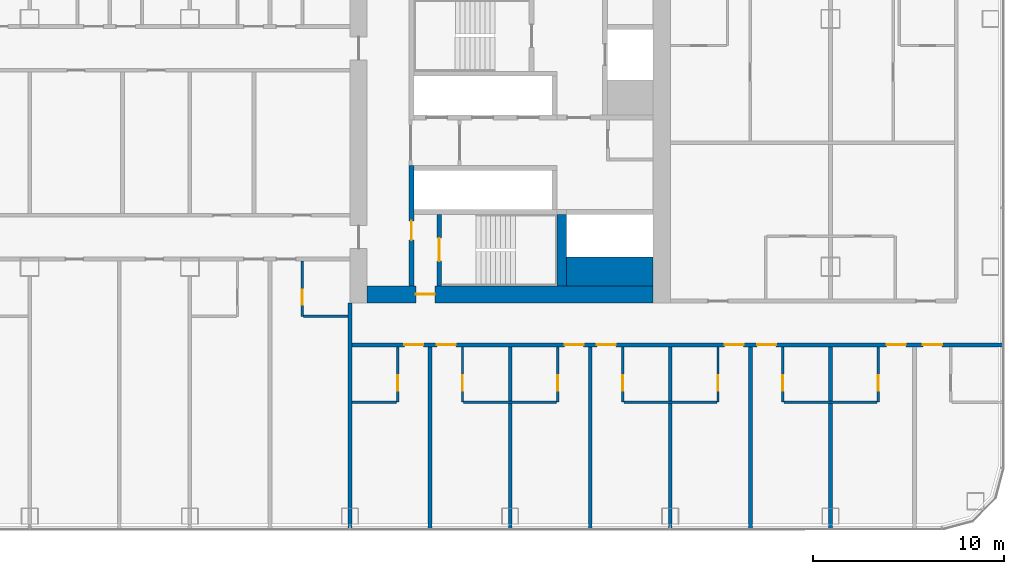
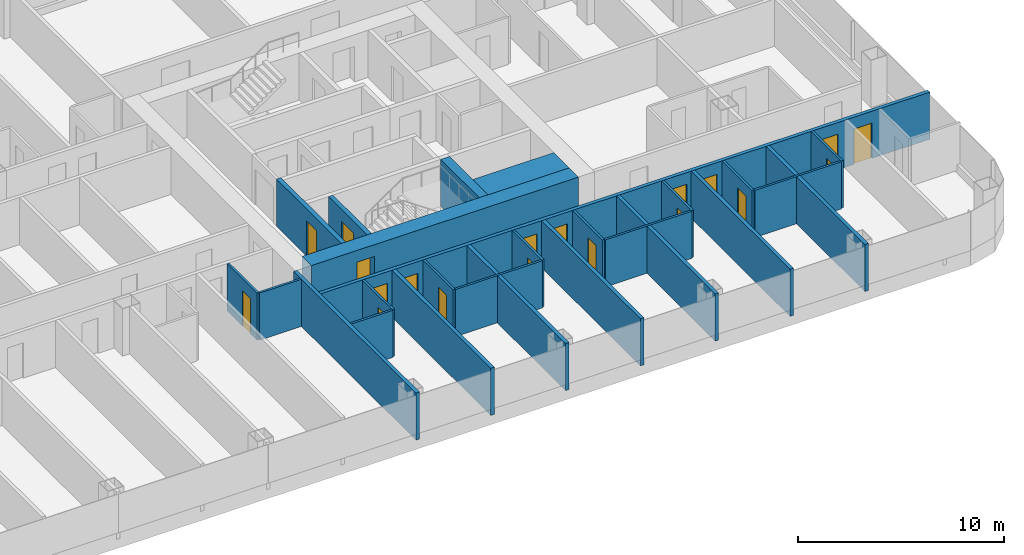
# One storey, part 18 of 29: 26 walls, 19 doors, 19 openings.
"""IFC4 building model written with IfcOpenShell, lengths in metres."""

from ifc_helpers import new_model, si_unit, direction, frame, frame_2d, origin, place, context, subcontext, project, spatial, rectangle, extrude, material, layer, layer_set, type_object, element, fill, save


model = new_model("IFC4")

# Units and contexts
model_context = context("Model", 3, precision=1e-05, world=origin(), true_north=direction((0.0, 1.0)))
body_context = subcontext(model_context, "Body", "Model", "MODEL_VIEW")
ifc_project = project(units=[si_unit("LENGTHUNIT", "METRE"), si_unit("AREAUNIT", "SQUARE_METRE"), si_unit("VOLUMEUNIT", "CUBIC_METRE"), si_unit("PLANEANGLEUNIT", "RADIAN"), si_unit("MASSUNIT", "GRAM", prefix="KILO")], contexts=[model_context])

# Site, building, storey
site_placement = place(None, origin())
site = spatial("IfcSite", under=ifc_project, at=site_placement, CompositionType="ELEMENT")
building_placement = place(site_placement, origin())
building = spatial("IfcBuilding", under=site, at=building_placement, Name="Hakoniwa Tower and Hamabe Station Hall", CompositionType="ELEMENT")
storey_placement = place(building_placement, frame((0.0, 0.0, 55.0)))
storey = spatial("IfcBuildingStorey", under=building, at=storey_placement, Name="L15", CompositionType="ELEMENT", Elevation=55.0)

# Walls
ifc_material_1 = material(Name="Gypsum board partition", Category="gypsum")
ifc_layer_1 = layer(ifc_material_1, 0.125)
ifc_layer_set_1 = layer_set([ifc_layer_1], Name="Bathroom Partition 125")
wall_type_1 = type_object("IfcWallType", Name="Bathroom Partition 125", PredefinedType="PARTITIONING", material=ifc_layer_set_1)
wall_1_placement = place(storey_placement, frame((16.89990234375, -13.60009765625, 0.0), z_axis=(0.0, 0.0, 1.0), x_axis=(1.0, 0.0, 0.0)))
element("IfcWall", 1, at=wall_1_placement, inside=storey, type_object=wall_type_1, Name="GW-L15-006", PredefinedType="PARTITIONING", context=body_context, shape_type="SweptSolid", body=[
    extrude(rectangle(XDim=2.337646484375, YDim=0.125, at=frame_2d((1.1689453125, 0.0))), origin(), (0.0, 0.0, 1.0), 2.800048828125),
])
for number, where, z_axis, x_axis, name in (
    (2, (22.762451171875, -13.60009765625, 0.0), (0.0, 0.0, 1.0), (1.0, 0.0, 0.0), "GW-L15-007"),
    (3, (31.16259765625, -13.60009765625, 0.0), (0.0, 0.0, 1.0), (1.0, 0.0, 0.0), "GW-L15-008"),
    (4, (39.5625, -13.60009765625, 0.0), (0.0, 0.0, 1.0), (1.0, 0.0, 0.0), "GW-L15-009"),
):
    element("IfcWall", number, at=place(storey_placement, frame(where, z_axis=z_axis, x_axis=x_axis)), inside=storey, type_object=wall_type_1, Name=name, PredefinedType="PARTITIONING", context=body_context, shape_type="SweptSolid", body=[
        extrude(rectangle(XDim=4.875, YDim=0.125, at=frame_2d((2.4375, 0.0))), origin(), (0.0, 0.0, 1.0), 2.800048828125),
    ])
wall_2_placement = place(storey_placement, frame((14.362548828125, -9.10009765625, 0.0), z_axis=(0.0, 0.0, 1.0), x_axis=(1.0, 0.0, 0.0)))
element("IfcWall", 5, at=wall_2_placement, inside=storey, type_object=wall_type_1, Name="GW-L15-017", PredefinedType="PARTITIONING", context=body_context, shape_type="SweptSolid", body=[
    extrude(rectangle(XDim=2.33740234375, YDim=0.125, at=frame_2d((1.168701171875, 0.0))), origin(), (0.0, 0.0, 1.0), 2.800048828125),
])

# Wall, opening, door
wall_3_placement = place(storey_placement, frame((14.300048828125, -9.10009765625, 0.0), z_axis=(0.0, 0.0, 1.0), x_axis=(0.0, 1.0, 0.0)))
wall_3 = element("IfcWall", 6, at=wall_3_placement, inside=storey, type_object=wall_type_1, Name="GW-L15-115", PredefinedType="PARTITIONING", context=body_context, shape_type="SweptSolid", body=[
    extrude(rectangle(XDim=2.900146484375, YDim=0.125, at=frame_2d((1.4501953125, 0.0))), origin(), (0.0, 0.0, 1.0), 2.800048828125),
])
opening_1_placement = place(wall_3_placement, frame((0.60009765625, 0.0, 0.0)))
opening_1 = element("IfcOpeningElement", 7, at=opening_1_placement, cuts=wall_3, Name="Opening GD-G1B2-93", PredefinedType="OPENING", context=body_context, shape_type="SweptSolid", body=[
    extrude(rectangle(XDim=0.800048828125, YDim=2.10009765625, at=frame_2d((0.39990234375, 1.050048828125))), frame((0.0, 0.072509765625, 0.0), z_axis=(0.0, -1.0, 0.0), x_axis=(1.0, 0.0, 0.0)), (0.0, 0.0, 1.0), 0.14501953125),
])
ifc_material_2 = material(Name="Timber door leaf", Category="wood")
door_type_1 = type_object("IfcDoorType", Name="Bathroom Door 800", OperationType="SINGLE_SWING_LEFT", PredefinedType="DOOR", material=ifc_material_2)
door_1_placement = place(opening_1_placement, origin())
door_1 = element("IfcDoor", 8, at=door_1_placement, inside=storey, type_object=door_type_1, Name="Door GD-G1B2-93", OperationType="SINGLE_SWING_LEFT", OverallHeight=2.10009765625, OverallWidth=0.800048828125, PredefinedType="DOOR", context=body_context, shape_type="SweptSolid", body=[
    extrude(rectangle(XDim=0.800048828125, YDim=2.10009765625, at=frame_2d((0.39990234375, 1.050048828125))), frame((0.0, 0.02490234375, 0.0), z_axis=(0.0, -1.0, 0.0), x_axis=(1.0, 0.0, 0.0)), (0.0, 0.0, 1.0), 0.050048828125),
])
fill(opening_1, door_1)

wall_4_placement = place(storey_placement, frame((19.300048828125, -13.60009765625, 0.0), z_axis=(0.0, 0.0, 1.0), x_axis=(0.0, 1.0, 0.0)))
wall_4 = element("IfcWall", 9, at=wall_4_placement, inside=storey, type_object=wall_type_1, Name="GW-L15-119", PredefinedType="PARTITIONING", context=body_context, shape_type="SweptSolid", body=[
    extrude(rectangle(XDim=2.900146484375, YDim=0.125, at=frame_2d((1.4501953125, 0.0))), origin(), (0.0, 0.0, 1.0), 2.800048828125),
])
opening_2_placement = place(wall_4_placement, frame((0.60009765625, 0.0, 0.0)))
opening_2 = element("IfcOpeningElement", 10, at=opening_2_placement, cuts=wall_4, Name="Opening GD-G1B2-95", PredefinedType="OPENING", context=body_context, shape_type="SweptSolid", body=[
    extrude(rectangle(XDim=0.800048828125, YDim=2.10009765625, at=frame_2d((0.39990234375, 1.050048828125))), frame((0.0, 0.072509765625, 0.0), z_axis=(0.0, -1.0, 0.0), x_axis=(1.0, 0.0, 0.0)), (0.0, 0.0, 1.0), 0.14501953125),
])
door_2_placement = place(opening_2_placement, origin())
door_2 = element("IfcDoor", 11, at=door_2_placement, inside=storey, type_object=door_type_1, Name="Door GD-G1B2-95", OperationType="SINGLE_SWING_RIGHT", OverallHeight=2.10009765625, OverallWidth=0.800048828125, PredefinedType="DOOR", context=body_context, shape_type="SweptSolid", body=[
    extrude(rectangle(XDim=0.800048828125, YDim=2.10009765625, at=frame_2d((0.39990234375, 1.050048828125))), frame((0.0, 0.02490234375, 0.0), z_axis=(0.0, -1.0, 0.0), x_axis=(1.0, 0.0, 0.0)), (0.0, 0.0, 1.0), 0.050048828125),
])
fill(opening_2, door_2)

wall_5_placement = place(storey_placement, frame((22.699951171875, -13.60009765625, 0.0), z_axis=(0.0, 0.0, 1.0), x_axis=(0.0, 1.0, 0.0)))
wall_5 = element("IfcWall", 12, at=wall_5_placement, inside=storey, type_object=wall_type_1, Name="GW-L15-121", PredefinedType="PARTITIONING", context=body_context, shape_type="SweptSolid", body=[
    extrude(rectangle(XDim=2.900146484375, YDim=0.125, at=frame_2d((1.4501953125, 0.0))), origin(), (0.0, 0.0, 1.0), 2.800048828125),
])
opening_3_placement = place(wall_5_placement, frame((0.60009765625, 0.0, 0.0)))
opening_3 = element("IfcOpeningElement", 13, at=opening_3_placement, cuts=wall_5, Name="Opening GD-G1B2-96", PredefinedType="OPENING", context=body_context, shape_type="SweptSolid", body=[
    extrude(rectangle(XDim=0.800048828125, YDim=2.10009765625, at=frame_2d((0.39990234375, 1.050048828125))), frame((0.0, 0.072509765625, 0.0), z_axis=(0.0, -1.0, 0.0), x_axis=(1.0, 0.0, 0.0)), (0.0, 0.0, 1.0), 0.14501953125),
])
door_3_placement = place(opening_3_placement, origin())
door_3 = element("IfcDoor", 14, at=door_3_placement, inside=storey, type_object=door_type_1, Name="Door GD-G1B2-96", OperationType="SINGLE_SWING_LEFT", OverallHeight=2.10009765625, OverallWidth=0.800048828125, PredefinedType="DOOR", context=body_context, shape_type="SweptSolid", body=[
    extrude(rectangle(XDim=0.800048828125, YDim=2.10009765625, at=frame_2d((0.39990234375, 1.050048828125))), frame((0.0, 0.02490234375, 0.0), z_axis=(0.0, -1.0, 0.0), x_axis=(1.0, 0.0, 0.0)), (0.0, 0.0, 1.0), 0.050048828125),
])
fill(opening_3, door_3)

wall_6_placement = place(storey_placement, frame((27.699951171875, -13.60009765625, 0.0), z_axis=(0.0, 0.0, 1.0), x_axis=(0.0, 1.0, 0.0)))
wall_6 = element("IfcWall", 15, at=wall_6_placement, inside=storey, type_object=wall_type_1, Name="GW-L15-124", PredefinedType="PARTITIONING", context=body_context, shape_type="SweptSolid", body=[
    extrude(rectangle(XDim=2.900146484375, YDim=0.125, at=frame_2d((1.4501953125, 0.0))), origin(), (0.0, 0.0, 1.0), 2.800048828125),
])
opening_4_placement = place(wall_6_placement, frame((0.60009765625, 0.0, 0.0)))
opening_4 = element("IfcOpeningElement", 16, at=opening_4_placement, cuts=wall_6, Name="Opening GD-G1B2-97", PredefinedType="OPENING", context=body_context, shape_type="SweptSolid", body=[
    extrude(rectangle(XDim=0.800048828125, YDim=2.10009765625, at=frame_2d((0.39990234375, 1.050048828125))), frame((0.0, 0.072509765625, 0.0), z_axis=(0.0, -1.0, 0.0), x_axis=(1.0, 0.0, 0.0)), (0.0, 0.0, 1.0), 0.14501953125),
])
door_4_placement = place(opening_4_placement, origin())
door_4 = element("IfcDoor", 17, at=door_4_placement, inside=storey, type_object=door_type_1, Name="Door GD-G1B2-97", OperationType="SINGLE_SWING_RIGHT", OverallHeight=2.10009765625, OverallWidth=0.800048828125, PredefinedType="DOOR", context=body_context, shape_type="SweptSolid", body=[
    extrude(rectangle(XDim=0.800048828125, YDim=2.10009765625, at=frame_2d((0.39990234375, 1.050048828125))), frame((0.0, 0.02490234375, 0.0), z_axis=(0.0, -1.0, 0.0), x_axis=(1.0, 0.0, 0.0)), (0.0, 0.0, 1.0), 0.050048828125),
])
fill(opening_4, door_4)

wall_7_placement = place(storey_placement, frame((31.10009765625, -13.60009765625, 0.0), z_axis=(0.0, 0.0, 1.0), x_axis=(0.0, 1.0, 0.0)))
wall_7 = element("IfcWall", 18, at=wall_7_placement, inside=storey, type_object=wall_type_1, Name="GW-L15-126", PredefinedType="PARTITIONING", context=body_context, shape_type="SweptSolid", body=[
    extrude(rectangle(XDim=2.900146484375, YDim=0.125, at=frame_2d((1.4501953125, 0.0))), origin(), (0.0, 0.0, 1.0), 2.800048828125),
])
opening_5_placement = place(wall_7_placement, frame((0.60009765625, 0.0, 0.0)))
opening_5 = element("IfcOpeningElement", 19, at=opening_5_placement, cuts=wall_7, Name="Opening GD-G1B2-98", PredefinedType="OPENING", context=body_context, shape_type="SweptSolid", body=[
    extrude(rectangle(XDim=0.800048828125, YDim=2.10009765625, at=frame_2d((0.39990234375, 1.050048828125))), frame((0.0, 0.072509765625, 0.0), z_axis=(0.0, -1.0, 0.0), x_axis=(1.0, 0.0, 0.0)), (0.0, 0.0, 1.0), 0.14501953125),
])
door_5_placement = place(opening_5_placement, origin())
door_5 = element("IfcDoor", 20, at=door_5_placement, inside=storey, type_object=door_type_1, Name="Door GD-G1B2-98", OperationType="SINGLE_SWING_LEFT", OverallHeight=2.10009765625, OverallWidth=0.800048828125, PredefinedType="DOOR", context=body_context, shape_type="SweptSolid", body=[
    extrude(rectangle(XDim=0.800048828125, YDim=2.10009765625, at=frame_2d((0.39990234375, 1.050048828125))), frame((0.0, 0.02490234375, 0.0), z_axis=(0.0, -1.0, 0.0), x_axis=(1.0, 0.0, 0.0)), (0.0, 0.0, 1.0), 0.050048828125),
])
fill(opening_5, door_5)

wall_8_placement = place(storey_placement, frame((36.10009765625, -13.60009765625, 0.0), z_axis=(0.0, 0.0, 1.0), x_axis=(0.0, 1.0, 0.0)))
wall_8 = element("IfcWall", 21, at=wall_8_placement, inside=storey, type_object=wall_type_1, Name="GW-L15-129", PredefinedType="PARTITIONING", context=body_context, shape_type="SweptSolid", body=[
    extrude(rectangle(XDim=2.900146484375, YDim=0.125, at=frame_2d((1.4501953125, 0.0))), origin(), (0.0, 0.0, 1.0), 2.800048828125),
])
opening_6_placement = place(wall_8_placement, frame((0.60009765625, 0.0, 0.0)))
opening_6 = element("IfcOpeningElement", 22, at=opening_6_placement, cuts=wall_8, Name="Opening GD-G1B2-99", PredefinedType="OPENING", context=body_context, shape_type="SweptSolid", body=[
    extrude(rectangle(XDim=0.800048828125, YDim=2.10009765625, at=frame_2d((0.39990234375, 1.050048828125))), frame((0.0, 0.072509765625, 0.0), z_axis=(0.0, -1.0, 0.0), x_axis=(1.0, 0.0, 0.0)), (0.0, 0.0, 1.0), 0.14501953125),
])
door_6_placement = place(opening_6_placement, origin())
door_6 = element("IfcDoor", 23, at=door_6_placement, inside=storey, type_object=door_type_1, Name="Door GD-G1B2-99", OperationType="SINGLE_SWING_RIGHT", OverallHeight=2.10009765625, OverallWidth=0.800048828125, PredefinedType="DOOR", context=body_context, shape_type="SweptSolid", body=[
    extrude(rectangle(XDim=0.800048828125, YDim=2.10009765625, at=frame_2d((0.39990234375, 1.050048828125))), frame((0.0, 0.02490234375, 0.0), z_axis=(0.0, -1.0, 0.0), x_axis=(1.0, 0.0, 0.0)), (0.0, 0.0, 1.0), 0.050048828125),
])
fill(opening_6, door_6)

wall_9_placement = place(storey_placement, frame((39.5, -13.60009765625, 0.0), z_axis=(0.0, 0.0, 1.0), x_axis=(0.0, 1.0, 0.0)))
wall_9 = element("IfcWall", 24, at=wall_9_placement, inside=storey, type_object=wall_type_1, Name="GW-L15-134", PredefinedType="PARTITIONING", context=body_context, shape_type="SweptSolid", body=[
    extrude(rectangle(XDim=2.900146484375, YDim=0.125, at=frame_2d((1.4501953125, 0.0))), origin(), (0.0, 0.0, 1.0), 2.800048828125),
])
opening_7_placement = place(wall_9_placement, frame((0.60009765625, 0.0, 0.0)))
opening_7 = element("IfcOpeningElement", 25, at=opening_7_placement, cuts=wall_9, Name="Opening GD-G1B2-101", PredefinedType="OPENING", context=body_context, shape_type="SweptSolid", body=[
    extrude(rectangle(XDim=0.800048828125, YDim=2.10009765625, at=frame_2d((0.39990234375, 1.050048828125))), frame((0.0, 0.072509765625, 0.0), z_axis=(0.0, -1.0, 0.0), x_axis=(1.0, 0.0, 0.0)), (0.0, 0.0, 1.0), 0.14501953125),
])
door_7_placement = place(opening_7_placement, origin())
door_7 = element("IfcDoor", 26, at=door_7_placement, inside=storey, type_object=door_type_1, Name="Door GD-G1B2-101", OperationType="SINGLE_SWING_LEFT", OverallHeight=2.10009765625, OverallWidth=0.800048828125, PredefinedType="DOOR", context=body_context, shape_type="SweptSolid", body=[
    extrude(rectangle(XDim=0.800048828125, YDim=2.10009765625, at=frame_2d((0.39990234375, 1.050048828125))), frame((0.0, 0.02490234375, 0.0), z_axis=(0.0, -1.0, 0.0), x_axis=(1.0, 0.0, 0.0)), (0.0, 0.0, 1.0), 0.050048828125),
])
fill(opening_7, door_7)

wall_10_placement = place(storey_placement, frame((44.5, -13.60009765625, 0.0), z_axis=(0.0, 0.0, 1.0), x_axis=(0.0, 1.0, 0.0)))
wall_10 = element("IfcWall", 27, at=wall_10_placement, inside=storey, type_object=wall_type_1, Name="GW-L15-138", PredefinedType="PARTITIONING", context=body_context, shape_type="SweptSolid", body=[
    extrude(rectangle(XDim=2.900146484375, YDim=0.125, at=frame_2d((1.4501953125, 0.0))), origin(), (0.0, 0.0, 1.0), 2.800048828125),
])
opening_8_placement = place(wall_10_placement, frame((0.60009765625, 0.0, 0.0)))
opening_8 = element("IfcOpeningElement", 28, at=opening_8_placement, cuts=wall_10, Name="Opening GD-G1B2-102", PredefinedType="OPENING", context=body_context, shape_type="SweptSolid", body=[
    extrude(rectangle(XDim=0.800048828125, YDim=2.10009765625, at=frame_2d((0.39990234375, 1.050048828125))), frame((0.0, 0.072509765625, 0.0), z_axis=(0.0, -1.0, 0.0), x_axis=(1.0, 0.0, 0.0)), (0.0, 0.0, 1.0), 0.14501953125),
])
door_8_placement = place(opening_8_placement, origin())
door_8 = element("IfcDoor", 29, at=door_8_placement, inside=storey, type_object=door_type_1, Name="Door GD-G1B2-102", OperationType="SINGLE_SWING_RIGHT", OverallHeight=2.10009765625, OverallWidth=0.800048828125, PredefinedType="DOOR", context=body_context, shape_type="SweptSolid", body=[
    extrude(rectangle(XDim=0.800048828125, YDim=2.10009765625, at=frame_2d((0.39990234375, 1.050048828125))), frame((0.0, 0.02490234375, 0.0), z_axis=(0.0, -1.0, 0.0), x_axis=(1.0, 0.0, 0.0)), (0.0, 0.0, 1.0), 0.050048828125),
])
fill(opening_8, door_8)

ifc_material_3 = material(Name="Concrete C80", Category="concrete")
ifc_layer_2 = layer(ifc_material_3, 0.89990234375)
ifc_layer_set_2 = layer_set([ifc_layer_2], Name="CORE WALL 900 C80")
wall_type_2 = type_object("IfcWallType", Name="CORE WALL 900 C80", PredefinedType="SHEAR", material=ifc_layer_set_2)
wall_11_placement = place(storey_placement, frame((17.699951171875, -7.949951171875, 0.0), z_axis=(0.0, 0.0, 1.0), x_axis=(1.0, 0.0, 0.0)))
wall_11 = element("IfcWall", 30, at=wall_11_placement, inside=storey, type_object=wall_type_2, Name="Core wall SOUTH east", PredefinedType="SHEAR", context=body_context, shape_type="SweptSolid", body=[
    extrude(rectangle(XDim=15.0, YDim=0.89990234375, at=frame_2d((7.5, 0.0))), origin(), (0.0, 0.0, 1.0), 2.800048828125),
])
opening_9_placement = place(wall_11_placement, frame((2.550048828125, 0.0, 0.0)))
opening_9 = element("IfcOpeningElement", 31, at=opening_9_placement, cuts=wall_11, Name="Opening CD-E-FS3-10", PredefinedType="OPENING", context=body_context, shape_type="SweptSolid", body=[
    extrude(rectangle(XDim=1.0, YDim=2.10009765625, at=frame_2d((0.5, 1.050048828125))), frame((0.0, 0.4599609375, 0.0), z_axis=(0.0, -1.0, 0.0), x_axis=(1.0, 0.0, 0.0)), (0.0, 0.0, 1.0), 0.919921875),
])
ifc_material_4 = material(Name="Steel fire door", Category="steel")
door_type_2 = type_object("IfcDoorType", Name="CORE DOOR 1000 FD60", OperationType="NOTDEFINED", PredefinedType="DOOR", material=ifc_material_4)
door_9_placement = place(opening_9_placement, origin())
door_9 = element("IfcDoor", 32, at=door_9_placement, inside=storey, type_object=door_type_2, Name="Stair vestibule door", OperationType="SINGLE_SWING_RIGHT", OverallHeight=2.10009765625, OverallWidth=1.0, PredefinedType="DOOR", context=body_context, shape_type="SweptSolid", body=[
    extrude(rectangle(XDim=1.0, YDim=2.10009765625, at=frame_2d((0.5, 1.050048828125))), frame((0.0, 0.02490234375, 0.0), z_axis=(0.0, -1.0, 0.0), x_axis=(1.0, 0.0, 0.0)), (0.0, 0.0, 1.0), 0.050048828125),
])
fill(opening_9, door_9)

# Wall
ifc_material_5 = material(Name="Concrete C80", Category="concrete")
ifc_layer_3 = layer(ifc_material_5, 1.5)
ifc_layer_set_3 = layer_set([ifc_layer_3], Name="CORE WEB WALL 1500 C80")
wall_type_3 = type_object("IfcWallType", Name="CORE WEB WALL 1500 C80", PredefinedType="SHEAR", material=ifc_layer_set_3)
wall_12_placement = place(storey_placement, frame((28.14990234375, -6.75, 0.0), z_axis=(0.0, 0.0, 1.0), x_axis=(1.0, 0.0, 0.0)))
element("IfcWall", 33, at=wall_12_placement, inside=storey, type_object=wall_type_3, Name="Core wall SER east", PredefinedType="SHEAR", context=body_context, shape_type="SweptSolid", body=[
    extrude(rectangle(XDim=4.550048828125, YDim=1.5, at=frame_2d((2.27490234375, 0.0))), origin(), (0.0, 0.0, 1.0), 2.800048828125),
])

# Wall, opening, door
ifc_material_6 = material(Name="Concrete C80", Category="concrete")
ifc_layer_4 = layer(ifc_material_6, 0.25)
ifc_layer_set_4 = layer_set([ifc_layer_4], Name="CORE WEB WALL 250 C80")
wall_type_4 = type_object("IfcWallType", Name="CORE WEB WALL 250 C80", PredefinedType="SHEAR", material=ifc_layer_set_4)
wall_13_placement = place(storey_placement, frame((20.02490234375, -7.5, 0.0), z_axis=(0.0, 0.0, 1.0), x_axis=(0.0, 1.0, 0.0)))
wall_13 = element("IfcWall", 34, at=wall_13_placement, inside=storey, type_object=wall_type_4, Name="Core wall W1S east", PredefinedType="SHEAR", context=body_context, shape_type="SweptSolid", body=[
    extrude(rectangle(XDim=6.300048828125, YDim=0.25, at=frame_2d((3.14990234375, 0.0))), origin(), (0.0, 0.0, 1.0), 2.800048828125),
])
opening_10_placement = place(wall_13_placement, frame((2.39990234375, 0.0, 0.0)))
opening_10 = element("IfcOpeningElement", 35, at=opening_10_placement, cuts=wall_13, Name="Opening CD-E-VS-10", PredefinedType="OPENING", context=body_context, shape_type="SweptSolid", body=[
    extrude(rectangle(XDim=1.0, YDim=2.10009765625, at=frame_2d((0.5, 1.050048828125))), frame((0.0, 0.135009765625, 0.0), z_axis=(0.0, -1.0, 0.0), x_axis=(1.0, 0.0, 0.0)), (0.0, 0.0, 1.0), 0.27001953125),
])
door_10_placement = place(opening_10_placement, origin())
door_10 = element("IfcDoor", 36, at=door_10_placement, inside=storey, type_object=door_type_2, Name="Stair vestibule door", OperationType="SINGLE_SWING_RIGHT", OverallHeight=2.10009765625, OverallWidth=1.0, PredefinedType="DOOR", context=body_context, shape_type="SweptSolid", body=[
    extrude(rectangle(XDim=1.0, YDim=2.10009765625, at=frame_2d((0.5, 1.050048828125))), frame((0.0, 0.02490234375, 0.0), z_axis=(0.0, -1.0, 0.0), x_axis=(1.0, 0.0, 0.0)), (0.0, 0.0, 1.0), 0.050048828125),
])
fill(opening_10, door_10)

wall_14_placement = place(storey_placement, frame((21.47509765625, -7.5, 0.0), z_axis=(0.0, 0.0, 1.0), x_axis=(0.0, 1.0, 0.0)))
wall_14 = element("IfcWall", 37, at=wall_14_placement, inside=storey, type_object=wall_type_4, Name="Core wall VE east", PredefinedType="SHEAR", context=body_context, shape_type="SweptSolid", body=[
    extrude(rectangle(XDim=3.75, YDim=0.25, at=frame_2d((1.875, 0.0))), origin(), (0.0, 0.0, 1.0), 2.800048828125),
])
opening_11_placement = place(wall_14_placement, frame((1.300048828125, 0.0, 0.0)))
opening_11 = element("IfcOpeningElement", 38, at=opening_11_placement, cuts=wall_14, Name="Opening CD-E-SS-12", PredefinedType="OPENING", context=body_context, shape_type="SweptSolid", body=[
    extrude(rectangle(XDim=1.199951171875, YDim=2.10009765625, at=frame_2d((0.60009765625, 1.050048828125))), frame((0.0, 0.135009765625, 0.0), z_axis=(0.0, -1.0, 0.0), x_axis=(1.0, 0.0, 0.0)), (0.0, 0.0, 1.0), 0.27001953125),
])
ifc_material_7 = material(Name="Steel fire door", Category="steel")
door_type_3 = type_object("IfcDoorType", Name="CORE DOOR 1200 FD60", OperationType="DOUBLE_DOOR_SINGLE_SWING", PredefinedType="DOOR", material=ifc_material_7)
door_11_placement = place(opening_11_placement, origin())
door_11 = element("IfcDoor", 39, at=door_11_placement, inside=storey, type_object=door_type_3, Name="Escape stair door", OperationType="DOUBLE_DOOR_SINGLE_SWING", OverallHeight=2.10009765625, OverallWidth=1.199951171875, PredefinedType="DOOR", context=body_context, shape_type="SweptSolid", body=[
    extrude(rectangle(XDim=1.199951171875, YDim=2.10009765625, at=frame_2d((0.60009765625, 1.050048828125))), frame((0.0, 0.02490234375, 0.0), z_axis=(0.0, -1.0, 0.0), x_axis=(1.0, 0.0, 0.0)), (0.0, 0.0, 1.0), 0.050048828125),
])
fill(opening_11, door_11)

# Wall
ifc_material_8 = material(Name="Concrete C80", Category="concrete")
ifc_layer_5 = layer(ifc_material_8, 0.5)
ifc_layer_set_5 = layer_set([ifc_layer_5], Name="CORE WEB WALL 500 C80")
wall_type_5 = type_object("IfcWallType", Name="CORE WEB WALL 500 C80", PredefinedType="SHEAR", material=ifc_layer_set_5)
wall_15_placement = place(storey_placement, frame((27.89990234375, -7.5, 0.0), z_axis=(0.0, 0.0, 1.0), x_axis=(0.0, 1.0, 0.0)))
element("IfcWall", 40, at=wall_15_placement, inside=storey, type_object=wall_type_5, Name="Core wall SSE east", PredefinedType="SHEAR", context=body_context, shape_type="SweptSolid", body=[
    extrude(rectangle(XDim=3.75, YDim=0.5, at=frame_2d((1.875, 0.0))), origin(), (0.0, 0.0, 1.0), 2.800048828125),
])

# Wall, openings, doors
ifc_material_9 = material(Name="Fire-rated gypsum board partition", Category="gypsum")
ifc_layer_6 = layer(ifc_material_9, 0.199951171875)
ifc_layer_set_6 = layer_set([ifc_layer_6], Name="Corridor Wall 200")
wall_type_6 = type_object("IfcWallType", Name="Corridor Wall 200", PredefinedType="PARTITIONING", material=ifc_layer_set_6)
wall_16_placement = place(storey_placement, frame((16.800048828125, -10.60009765625, 0.0), z_axis=(0.0, 0.0, 1.0), x_axis=(1.0, 0.0, 0.0)))
wall_16 = element("IfcWall", 41, at=wall_16_placement, inside=storey, type_object=wall_type_6, Name="GW-L15-012", PredefinedType="PARTITIONING", context=body_context, shape_type="SweptSolid", body=[
    extrude(rectangle(XDim=34.300048828125, YDim=0.199951171875, at=frame_2d((17.14990234375, 0.0))), origin(), (0.0, 0.0, 1.0), 2.800048828125),
])
opening_12_placement = place(wall_16_placement, frame((2.85009765625, 0.0, 0.0)))
opening_12 = element("IfcOpeningElement", 42, at=opening_12_placement, cuts=wall_16, Name="Opening GD-G1B2-09", PredefinedType="OPENING", context=body_context, shape_type="SweptSolid", body=[
    extrude(rectangle(XDim=1.0, YDim=2.10009765625, at=frame_2d((0.5, 1.050048828125))), frame((0.0, 0.10986328125, 0.0), z_axis=(0.0, -1.0, 0.0), x_axis=(1.0, 0.0, 0.0)), (0.0, 0.0, 1.0), 0.219970703125),
])
opening_13_placement = place(wall_16_placement, frame((4.550048828125, 0.0, 0.0)))
opening_13 = element("IfcOpeningElement", 43, at=opening_13_placement, cuts=wall_16, Name="Opening GD-G1B2-10", PredefinedType="OPENING", context=body_context, shape_type="SweptSolid", body=[
    extrude(rectangle(XDim=1.0, YDim=2.10009765625, at=frame_2d((0.5, 1.050048828125))), frame((0.0, 0.10986328125, 0.0), z_axis=(0.0, -1.0, 0.0), x_axis=(1.0, 0.0, 0.0)), (0.0, 0.0, 1.0), 0.219970703125),
])
opening_14_placement = place(wall_16_placement, frame((11.25, 0.0, 0.0)))
opening_14 = element("IfcOpeningElement", 44, at=opening_14_placement, cuts=wall_16, Name="Opening GD-G1B2-11", PredefinedType="OPENING", context=body_context, shape_type="SweptSolid", body=[
    extrude(rectangle(XDim=1.0, YDim=2.10009765625, at=frame_2d((0.5, 1.050048828125))), frame((0.0, 0.10986328125, 0.0), z_axis=(0.0, -1.0, 0.0), x_axis=(1.0, 0.0, 0.0)), (0.0, 0.0, 1.0), 0.219970703125),
])
opening_15_placement = place(wall_16_placement, frame((12.949951171875, 0.0, 0.0)))
opening_15 = element("IfcOpeningElement", 45, at=opening_15_placement, cuts=wall_16, Name="Opening GD-G1B2-12", PredefinedType="OPENING", context=body_context, shape_type="SweptSolid", body=[
    extrude(rectangle(XDim=1.0, YDim=2.10009765625, at=frame_2d((0.5, 1.050048828125))), frame((0.0, 0.10986328125, 0.0), z_axis=(0.0, -1.0, 0.0), x_axis=(1.0, 0.0, 0.0)), (0.0, 0.0, 1.0), 0.219970703125),
])
opening_16_placement = place(wall_16_placement, frame((19.64990234375, 0.0, 0.0)))
opening_16 = element("IfcOpeningElement", 46, at=opening_16_placement, cuts=wall_16, Name="Opening GD-G1B2-13", PredefinedType="OPENING", context=body_context, shape_type="SweptSolid", body=[
    extrude(rectangle(XDim=1.0, YDim=2.10009765625, at=frame_2d((0.5, 1.050048828125))), frame((0.0, 0.10986328125, 0.0), z_axis=(0.0, -1.0, 0.0), x_axis=(1.0, 0.0, 0.0)), (0.0, 0.0, 1.0), 0.219970703125),
])
opening_17_placement = place(wall_16_placement, frame((21.35009765625, 0.0, 0.0)))
opening_17 = element("IfcOpeningElement", 47, at=opening_17_placement, cuts=wall_16, Name="Opening GD-G1B2-14", PredefinedType="OPENING", context=body_context, shape_type="SweptSolid", body=[
    extrude(rectangle(XDim=1.0, YDim=2.10009765625, at=frame_2d((0.5, 1.050048828125))), frame((0.0, 0.10986328125, 0.0), z_axis=(0.0, -1.0, 0.0), x_axis=(1.0, 0.0, 0.0)), (0.0, 0.0, 1.0), 0.219970703125),
])
opening_18_placement = place(wall_16_placement, frame((28.14990234375, 0.0, 0.0)))
opening_18 = element("IfcOpeningElement", 48, at=opening_18_placement, cuts=wall_16, Name="Opening GD-G1B2-15", PredefinedType="OPENING", context=body_context, shape_type="SweptSolid", body=[
    extrude(rectangle(XDim=1.0, YDim=2.10009765625, at=frame_2d((0.5, 1.050048828125))), frame((0.0, 0.10986328125, 0.0), z_axis=(0.0, -1.0, 0.0), x_axis=(1.0, 0.0, 0.0)), (0.0, 0.0, 1.0), 0.219970703125),
])
opening_19_placement = place(wall_16_placement, frame((30.050048828125, 0.0, 0.0)))
opening_19 = element("IfcOpeningElement", 49, at=opening_19_placement, cuts=wall_16, Name="Opening GD-G1B2-16", PredefinedType="OPENING", context=body_context, shape_type="SweptSolid", body=[
    extrude(rectangle(XDim=1.0, YDim=2.10009765625, at=frame_2d((0.5, 1.050048828125))), frame((0.0, 0.10986328125, 0.0), z_axis=(0.0, -1.0, 0.0), x_axis=(1.0, 0.0, 0.0)), (0.0, 0.0, 1.0), 0.219970703125),
])
ifc_material_10 = material(Name="Timber door leaf", Category="wood")
door_type_4 = type_object("IfcDoorType", Name="Guest Entrance Door 1000", OperationType="SINGLE_SWING_LEFT", PredefinedType="DOOR", material=ifc_material_10)
door_12_placement = place(opening_12_placement, origin())
door_12 = element("IfcDoor", 50, at=door_12_placement, inside=storey, type_object=door_type_4, Name="Door GD-G1B2-09", OperationType="SINGLE_SWING_LEFT", OverallHeight=2.10009765625, OverallWidth=1.0, PredefinedType="DOOR", context=body_context, shape_type="SweptSolid", body=[
    extrude(rectangle(XDim=1.0, YDim=2.10009765625, at=frame_2d((0.5, 1.050048828125))), frame((0.0, 0.02490234375, 0.0), z_axis=(0.0, -1.0, 0.0), x_axis=(1.0, 0.0, 0.0)), (0.0, 0.0, 1.0), 0.050048828125),
])
fill(opening_12, door_12)
door_13_placement = place(opening_13_placement, origin())
door_13 = element("IfcDoor", 51, at=door_13_placement, inside=storey, type_object=door_type_4, Name="Door GD-G1B2-10", OperationType="SINGLE_SWING_LEFT", OverallHeight=2.10009765625, OverallWidth=1.0, PredefinedType="DOOR", context=body_context, shape_type="SweptSolid", body=[
    extrude(rectangle(XDim=1.0, YDim=2.10009765625, at=frame_2d((0.5, 1.050048828125))), frame((0.0, 0.02490234375, 0.0), z_axis=(0.0, -1.0, 0.0), x_axis=(1.0, 0.0, 0.0)), (0.0, 0.0, 1.0), 0.050048828125),
])
fill(opening_13, door_13)
door_14_placement = place(opening_14_placement, origin())
door_14 = element("IfcDoor", 52, at=door_14_placement, inside=storey, type_object=door_type_4, Name="Door GD-G1B2-11", OperationType="SINGLE_SWING_RIGHT", OverallHeight=2.10009765625, OverallWidth=1.0, PredefinedType="DOOR", context=body_context, shape_type="SweptSolid", body=[
    extrude(rectangle(XDim=1.0, YDim=2.10009765625, at=frame_2d((0.5, 1.050048828125))), frame((0.0, 0.02490234375, 0.0), z_axis=(0.0, -1.0, 0.0), x_axis=(1.0, 0.0, 0.0)), (0.0, 0.0, 1.0), 0.050048828125),
])
fill(opening_14, door_14)
door_15_placement = place(opening_15_placement, origin())
door_15 = element("IfcDoor", 53, at=door_15_placement, inside=storey, type_object=door_type_4, Name="Door GD-G1B2-12", OperationType="SINGLE_SWING_LEFT", OverallHeight=2.10009765625, OverallWidth=1.0, PredefinedType="DOOR", context=body_context, shape_type="SweptSolid", body=[
    extrude(rectangle(XDim=1.0, YDim=2.10009765625, at=frame_2d((0.5, 1.050048828125))), frame((0.0, 0.02490234375, 0.0), z_axis=(0.0, -1.0, 0.0), x_axis=(1.0, 0.0, 0.0)), (0.0, 0.0, 1.0), 0.050048828125),
])
fill(opening_15, door_15)
door_16_placement = place(opening_16_placement, origin())
door_16 = element("IfcDoor", 54, at=door_16_placement, inside=storey, type_object=door_type_4, Name="Door GD-G1B2-13", OperationType="SINGLE_SWING_RIGHT", OverallHeight=2.10009765625, OverallWidth=1.0, PredefinedType="DOOR", context=body_context, shape_type="SweptSolid", body=[
    extrude(rectangle(XDim=1.0, YDim=2.10009765625, at=frame_2d((0.5, 1.050048828125))), frame((0.0, 0.02490234375, 0.0), z_axis=(0.0, -1.0, 0.0), x_axis=(1.0, 0.0, 0.0)), (0.0, 0.0, 1.0), 0.050048828125),
])
fill(opening_16, door_16)
door_17_placement = place(opening_17_placement, origin())
door_17 = element("IfcDoor", 55, at=door_17_placement, inside=storey, type_object=door_type_4, Name="Door GD-G1B2-14", OperationType="SINGLE_SWING_LEFT", OverallHeight=2.10009765625, OverallWidth=1.0, PredefinedType="DOOR", context=body_context, shape_type="SweptSolid", body=[
    extrude(rectangle(XDim=1.0, YDim=2.10009765625, at=frame_2d((0.5, 1.050048828125))), frame((0.0, 0.02490234375, 0.0), z_axis=(0.0, -1.0, 0.0), x_axis=(1.0, 0.0, 0.0)), (0.0, 0.0, 1.0), 0.050048828125),
])
fill(opening_17, door_17)
door_18_placement = place(opening_18_placement, origin())
door_18 = element("IfcDoor", 56, at=door_18_placement, inside=storey, type_object=door_type_4, Name="Door GD-G1B2-15", OperationType="SINGLE_SWING_RIGHT", OverallHeight=2.10009765625, OverallWidth=1.0, PredefinedType="DOOR", context=body_context, shape_type="SweptSolid", body=[
    extrude(rectangle(XDim=1.0, YDim=2.10009765625, at=frame_2d((0.5, 1.050048828125))), frame((0.0, 0.02490234375, 0.0), z_axis=(0.0, -1.0, 0.0), x_axis=(1.0, 0.0, 0.0)), (0.0, 0.0, 1.0), 0.050048828125),
])
fill(opening_18, door_18)
door_19_placement = place(opening_19_placement, origin())
door_19 = element("IfcDoor", 57, at=door_19_placement, inside=storey, type_object=door_type_4, Name="Door GD-G1B2-16", OperationType="SINGLE_SWING_LEFT", OverallHeight=2.10009765625, OverallWidth=1.0, PredefinedType="DOOR", context=body_context, shape_type="SweptSolid", body=[
    extrude(rectangle(XDim=1.0, YDim=2.10009765625, at=frame_2d((0.5, 1.050048828125))), frame((0.0, 0.02490234375, 0.0), z_axis=(0.0, -1.0, 0.0), x_axis=(1.0, 0.0, 0.0)), (0.0, 0.0, 1.0), 0.050048828125),
])
fill(opening_19, door_19)

# Walls
ifc_material_11 = material(Name="Fire-rated gypsum board partition", Category="gypsum")
ifc_layer_7 = layer(ifc_material_11, 0.199951171875)
ifc_layer_set_7 = layer_set([ifc_layer_7], Name="Party Wall 200")
wall_type_7 = type_object("IfcWallType", Name="Party Wall 200", PredefinedType="PARTITIONING", material=ifc_layer_set_7)
wall_17_placement = place(storey_placement, frame((16.800048828125, -20.300048828125, 0.0), z_axis=(0.0, 0.0, 1.0), x_axis=(0.0, 1.0, 0.0)))
element("IfcWall", 58, at=wall_17_placement, inside=storey, type_object=wall_type_7, Name="GW-L15-117", PredefinedType="PARTITIONING", context=body_context, shape_type="SweptSolid", body=[
    extrude(rectangle(XDim=11.91015625, YDim=0.199951171875, at=frame_2d((5.955078125, 0.0))), origin(), (0.0, 0.0, 1.0), 2.800048828125),
])
for number, where, z_axis, x_axis, name in (
    (59, (21.0, -20.300048828125, 0.0), (0.0, 0.0, 1.0), (0.0, 1.0, 0.0), "GW-L15-120"),
    (60, (25.199951171875, -20.300048828125, 0.0), (0.0, 0.0, 1.0), (0.0, 1.0, 0.0), "GW-L15-122"),
    (61, (29.39990234375, -20.300048828125, 0.0), (0.0, 0.0, 1.0), (0.0, 1.0, 0.0), "GW-L15-125"),
    (62, (33.60009765625, -20.300048828125, 0.0), (0.0, 0.0, 1.0), (0.0, 1.0, 0.0), "GW-L15-127"),
    (63, (37.800048828125, -20.300048828125, 0.0), (0.0, 0.0, 1.0), (0.0, 1.0, 0.0), "GW-L15-131"),
    (64, (42.0, -20.300048828125, 0.0), (0.0, 0.0, 1.0), (0.0, 1.0, 0.0), "GW-L15-135"),
):
    element("IfcWall", number, at=place(storey_placement, frame(where, z_axis=z_axis, x_axis=x_axis)), inside=storey, type_object=wall_type_7, Name=name, PredefinedType="PARTITIONING", context=body_context, shape_type="SweptSolid", body=[
        extrude(rectangle(XDim=9.60009765625, YDim=0.199951171875, at=frame_2d((4.800048828125, 0.0))), origin(), (0.0, 0.0, 1.0), 2.800048828125),
    ])

save(model, "model.ifc")
